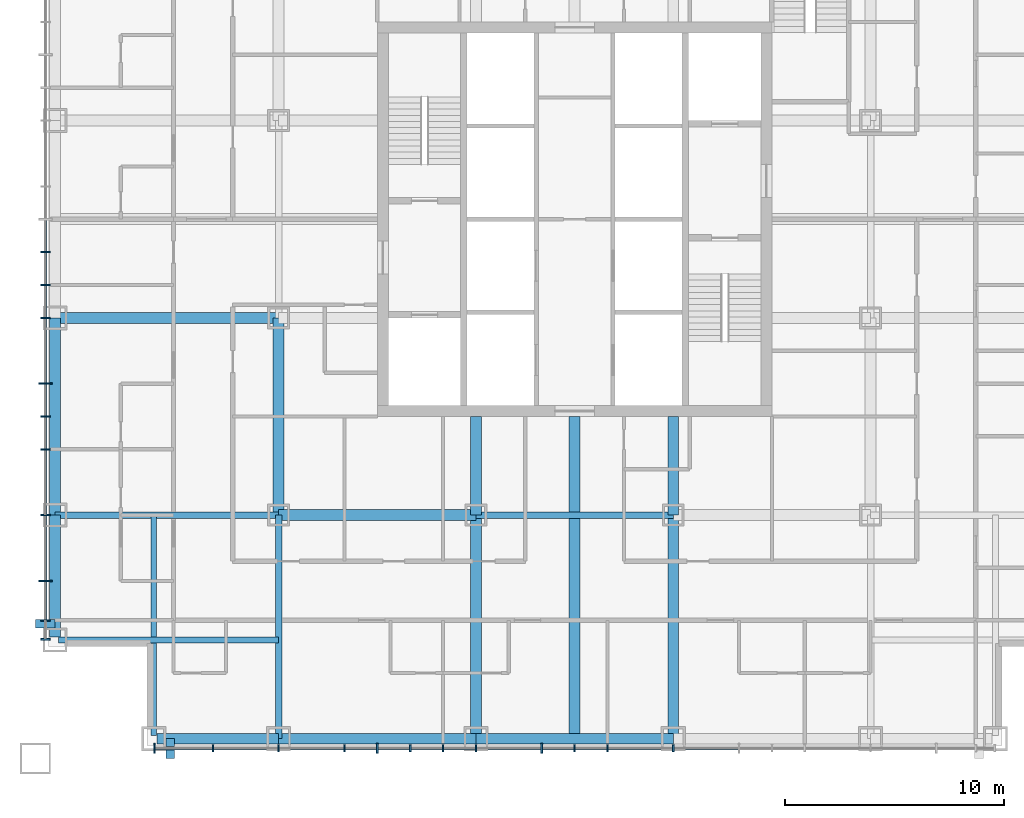
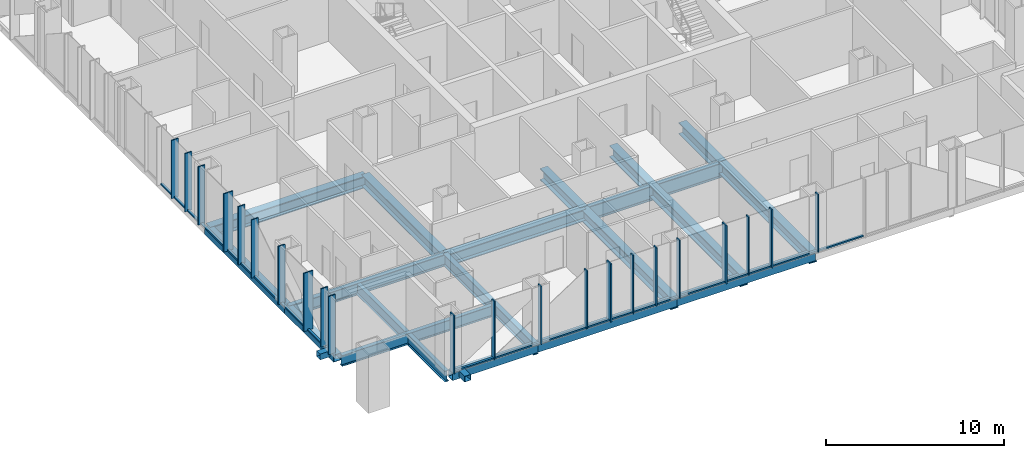
# One storey, part 2 of 16: 45 members, 18 beams, 2 elements without a shape of their own.
"""IFC4 building model written with IfcOpenShell, lengths in metres."""

from ifc_helpers import new_model, si_unit, direction, frame, origin, origin_2d, place, context, subcontext, project, spatial, rectangle, hollow_rectangle, i_section, extrude, material, layer, layer_set, material_profile, profile_set, type_object, element, aggregate, save


model = new_model("IFC4")

# Units and contexts
model_context = context("Model", 3, precision=1e-05, world=origin(), true_north=direction((0.0, 1.0)))
body_context = subcontext(model_context, "Body", "Model", "MODEL_VIEW")
ifc_project = project(units=[si_unit("LENGTHUNIT", "METRE"), si_unit("AREAUNIT", "SQUARE_METRE"), si_unit("VOLUMEUNIT", "CUBIC_METRE"), si_unit("PLANEANGLEUNIT", "RADIAN"), si_unit("MASSUNIT", "GRAM", prefix="KILO")], contexts=[model_context])

# Site, building, storey
site_placement = place(None, origin())
site = spatial("IfcSite", under=ifc_project, at=site_placement, CompositionType="ELEMENT")
building_placement = place(site_placement, origin())
building = spatial("IfcBuilding", under=site, at=building_placement, Name="Malebo Sky Hospital", CompositionType="ELEMENT")
storey_placement = place(building_placement, frame((0.0, 0.0, 144.0)))
storey = spatial("IfcBuildingStorey", under=building, at=storey_placement, Name="L34", CompositionType="ELEMENT", Elevation=144.0)

# Curtain wall, members
ifc_material_1 = material(Name="Anodised aluminium, natural silver", Category="aluminium")
ifc_layer_1 = layer(ifc_material_1, 0.25)
ifc_layer_set_1 = layer_set([ifc_layer_1], Name="WARD CURTAIN WALL EAST AND WEST")
curtain_wall_type_1 = type_object("IfcCurtainWallType", Name="WARD CURTAIN WALL EAST AND WEST", PredefinedType="NOTDEFINED", material=ifc_layer_set_1)
curtain_wall_1_placement = place(storey_placement, origin())
curtain_wall_1 = element("IfcCurtainWall", 1, at=curtain_wall_1_placement, inside=storey, type_object=curtain_wall_type_1, Name="EW curtain wall W", PredefinedType="NOTDEFINED")
ifc_material_profile_1 = material_profile(ifc_material_1, rectangle(XDim=0.14990234375, YDim=0.10009765625, at=origin_2d()), Name="ALUMINIUM TRANSOM 150x100")
ifc_profile_set_1 = profile_set([ifc_material_profile_1], Name="Anodised aluminium, natural silver")
member_type_1 = type_object("IfcMemberType", Name="ALUMINIUM TRANSOM 150x100", PredefinedType="USERDEFINED", material=ifc_profile_set_1)
member_1_placement = place(storey_placement, frame((35.864990234375, 43.737548828125, 0.050048828125), z_axis=(0.0, 1.0, 0.0), x_axis=(-1.0, 0.0, 0.0)))
member_1 = element("IfcMember", 2, at=member_1_placement, type_object=member_type_1, Name="Transom 2", ObjectType="TRANSOM", PredefinedType="USERDEFINED", context=body_context, shape_type="SweptSolid", body=[
    extrude(rectangle(XDim=0.14990234375, YDim=0.10009765625, at=origin_2d()), origin(), (0.0, 0.0, 1.0), 1.724853515625),
])
member_2_placement = place(storey_placement, frame((35.864990234375, 45.53759765625, 0.050048828125), z_axis=(0.0, 1.0, 0.0), x_axis=(-1.0, 0.0, 0.0)))
member_2 = element("IfcMember", 3, at=member_2_placement, type_object=member_type_1, Name="Transom 3", ObjectType="TRANSOM", PredefinedType="USERDEFINED", context=body_context, shape_type="SweptSolid", body=[
    extrude(rectangle(XDim=0.14990234375, YDim=0.10009765625, at=origin_2d()), origin(), (0.0, 0.0, 1.0), 2.9248046875),
])
member_3_placement = place(storey_placement, frame((35.864990234375, 48.53759765625, 0.050048828125), z_axis=(0.0, 1.0, 0.0), x_axis=(-1.0, 0.0, 0.0)))
member_3 = element("IfcMember", 4, at=member_3_placement, type_object=member_type_1, Name="Transom 4", ObjectType="TRANSOM", PredefinedType="USERDEFINED", context=body_context, shape_type="SweptSolid", body=[
    extrude(rectangle(XDim=0.14990234375, YDim=0.10009765625, at=origin_2d()), origin(), (0.0, 0.0, 1.0), 2.9248046875),
])
member_4_placement = place(storey_placement, frame((35.864990234375, 51.53759765625, 0.050048828125), z_axis=(0.0, 1.0, 0.0), x_axis=(-1.0, 0.0, 0.0)))
member_4 = element("IfcMember", 5, at=member_4_placement, type_object=member_type_1, Name="Transom 5", ObjectType="TRANSOM", PredefinedType="USERDEFINED", context=body_context, shape_type="SweptSolid", body=[
    extrude(rectangle(XDim=0.14990234375, YDim=0.10009765625, at=origin_2d()), origin(), (0.0, 0.0, 1.0), 1.4248046875),
])
member_5_placement = place(storey_placement, frame((35.864990234375, 53.03759765625, 0.050048828125), z_axis=(0.0, 1.0, 0.0), x_axis=(-1.0, 0.0, 0.0)))
member_5 = element("IfcMember", 6, at=member_5_placement, type_object=member_type_1, Name="Transom 6", ObjectType="TRANSOM", PredefinedType="USERDEFINED", context=body_context, shape_type="SweptSolid", body=[
    extrude(rectangle(XDim=0.14990234375, YDim=0.10009765625, at=origin_2d()), origin(), (0.0, 0.0, 1.0), 1.4248046875),
])
member_6_placement = place(storey_placement, frame((35.864990234375, 54.53759765625, 0.050048828125), z_axis=(0.0, 1.0, 0.0), x_axis=(-1.0, 0.0, 0.0)))
member_6 = element("IfcMember", 7, at=member_6_placement, type_object=member_type_1, Name="Transom 7", ObjectType="TRANSOM", PredefinedType="USERDEFINED", context=body_context, shape_type="SweptSolid", body=[
    extrude(rectangle(XDim=0.14990234375, YDim=0.10009765625, at=origin_2d()), origin(), (0.0, 0.0, 1.0), 2.9248046875),
])
member_7_placement = place(storey_placement, frame((35.864990234375, 57.53759765625, 0.050048828125), z_axis=(0.0, 1.0, 0.0), x_axis=(-1.0, 0.0, 0.0)))
member_7 = element("IfcMember", 8, at=member_7_placement, type_object=member_type_1, Name="Transom 8", ObjectType="TRANSOM", PredefinedType="USERDEFINED", context=body_context, shape_type="SweptSolid", body=[
    extrude(rectangle(XDim=0.14990234375, YDim=0.10009765625, at=origin_2d()), origin(), (0.0, 0.0, 1.0), 1.4248046875),
])
member_8_placement = place(storey_placement, frame((35.864990234375, 59.03759765625, 0.050048828125), z_axis=(0.0, 1.0, 0.0), x_axis=(-1.0, 0.0, 0.0)))
member_8 = element("IfcMember", 9, at=member_8_placement, type_object=member_type_1, Name="Transom 9", ObjectType="TRANSOM", PredefinedType="USERDEFINED", context=body_context, shape_type="SweptSolid", body=[
    extrude(rectangle(XDim=0.14990234375, YDim=0.10009765625, at=origin_2d()), origin(), (0.0, 0.0, 1.0), 1.4248046875),
])
member_9_placement = place(storey_placement, frame((35.864990234375, 60.53759765625, 0.050048828125), z_axis=(0.0, 1.0, 0.0), x_axis=(-1.0, 0.0, 0.0)))
member_9 = element("IfcMember", 10, at=member_9_placement, type_object=member_type_1, Name="Transom 10", ObjectType="TRANSOM", PredefinedType="USERDEFINED", context=body_context, shape_type="SweptSolid", body=[
    extrude(rectangle(XDim=0.14990234375, YDim=0.10009765625, at=origin_2d()), origin(), (0.0, 0.0, 1.0), 1.4248046875),
])

ifc_layer_2 = layer(ifc_material_1, 0.25)
ifc_layer_set_2 = layer_set([ifc_layer_2], Name="WARD CURTAIN WALL NORTH AND SOUTH")
curtain_wall_type_2 = type_object("IfcCurtainWallType", Name="WARD CURTAIN WALL NORTH AND SOUTH", PredefinedType="NOTDEFINED", material=ifc_layer_set_2)
curtain_wall_2_placement = place(storey_placement, origin())
curtain_wall_2 = element("IfcCurtainWall", 11, at=curtain_wall_2_placement, inside=storey, type_object=curtain_wall_type_2, Name="NS curtain wall S", PredefinedType="NOTDEFINED")
member_10_placement = place(storey_placement, frame((67.46240234375, 37.864990234375, 0.050048828125), z_axis=(-1.0, 0.0, 0.0), x_axis=(0.0, -1.0, 0.0)))
member_10 = element("IfcMember", 12, at=member_10_placement, type_object=member_type_1, Name="Transom 7", ObjectType="TRANSOM", PredefinedType="USERDEFINED", context=body_context, shape_type="SweptSolid", body=[
    extrude(rectangle(XDim=0.14990234375, YDim=0.10009765625, at=origin_2d()), origin(), (0.0, 0.0, 1.0), 2.9248046875),
])
member_11_placement = place(storey_placement, frame((64.46240234375, 37.864990234375, 0.050048828125), z_axis=(-1.0, 0.0, 0.0), x_axis=(0.0, -1.0, 0.0)))
member_11 = element("IfcMember", 13, at=member_11_placement, type_object=member_type_1, Name="Transom 8", ObjectType="TRANSOM", PredefinedType="USERDEFINED", context=body_context, shape_type="SweptSolid", body=[
    extrude(rectangle(XDim=0.14990234375, YDim=0.10009765625, at=origin_2d()), origin(), (0.0, 0.0, 1.0), 2.9248046875),
])
member_12_placement = place(storey_placement, frame((61.46240234375, 37.864990234375, 0.050048828125), z_axis=(-1.0, 0.0, 0.0), x_axis=(0.0, -1.0, 0.0)))
member_12 = element("IfcMember", 14, at=member_12_placement, type_object=member_type_1, Name="Transom 9", ObjectType="TRANSOM", PredefinedType="USERDEFINED", context=body_context, shape_type="SweptSolid", body=[
    extrude(rectangle(XDim=0.14990234375, YDim=0.10009765625, at=origin_2d()), origin(), (0.0, 0.0, 1.0), 1.4248046875),
])
member_13_placement = place(storey_placement, frame((59.96240234375, 37.864990234375, 0.050048828125), z_axis=(-1.0, 0.0, 0.0), x_axis=(0.0, -1.0, 0.0)))
member_13 = element("IfcMember", 15, at=member_13_placement, type_object=member_type_1, Name="Transom 10", ObjectType="TRANSOM", PredefinedType="USERDEFINED", context=body_context, shape_type="SweptSolid", body=[
    extrude(rectangle(XDim=0.14990234375, YDim=0.10009765625, at=origin_2d()), origin(), (0.0, 0.0, 1.0), 1.4248046875),
])
member_14_placement = place(storey_placement, frame((58.46240234375, 37.864990234375, 0.050048828125), z_axis=(-1.0, 0.0, 0.0), x_axis=(0.0, -1.0, 0.0)))
member_14 = element("IfcMember", 16, at=member_14_placement, type_object=member_type_1, Name="Transom 11", ObjectType="TRANSOM", PredefinedType="USERDEFINED", context=body_context, shape_type="SweptSolid", body=[
    extrude(rectangle(XDim=0.14990234375, YDim=0.10009765625, at=origin_2d()), origin(), (0.0, 0.0, 1.0), 2.9248046875),
])
member_15_placement = place(storey_placement, frame((55.46240234375, 37.864990234375, 0.050048828125), z_axis=(-1.0, 0.0, 0.0), x_axis=(0.0, -1.0, 0.0)))
member_15 = element("IfcMember", 17, at=member_15_placement, type_object=member_type_1, Name="Transom 12", ObjectType="TRANSOM", PredefinedType="USERDEFINED", context=body_context, shape_type="SweptSolid", body=[
    extrude(rectangle(XDim=0.14990234375, YDim=0.10009765625, at=origin_2d()), origin(), (0.0, 0.0, 1.0), 1.4248046875),
])
member_16_placement = place(storey_placement, frame((53.96240234375, 37.864990234375, 0.050048828125), z_axis=(-1.0, 0.0, 0.0), x_axis=(0.0, -1.0, 0.0)))
member_16 = element("IfcMember", 18, at=member_16_placement, type_object=member_type_1, Name="Transom 13", ObjectType="TRANSOM", PredefinedType="USERDEFINED", context=body_context, shape_type="SweptSolid", body=[
    extrude(rectangle(XDim=0.14990234375, YDim=0.10009765625, at=origin_2d()), origin(), (0.0, 0.0, 1.0), 1.4248046875),
])
member_17_placement = place(storey_placement, frame((52.46240234375, 37.864990234375, 0.050048828125), z_axis=(-1.0, 0.0, 0.0), x_axis=(0.0, -1.0, 0.0)))
member_17 = element("IfcMember", 19, at=member_17_placement, type_object=member_type_1, Name="Transom 14", ObjectType="TRANSOM", PredefinedType="USERDEFINED", context=body_context, shape_type="SweptSolid", body=[
    extrude(rectangle(XDim=0.14990234375, YDim=0.10009765625, at=origin_2d()), origin(), (0.0, 0.0, 1.0), 1.4248046875),
])
member_18_placement = place(storey_placement, frame((50.96240234375, 37.864990234375, 0.050048828125), z_axis=(-1.0, 0.0, 0.0), x_axis=(0.0, -1.0, 0.0)))
member_18 = element("IfcMember", 20, at=member_18_placement, type_object=member_type_1, Name="Transom 15", ObjectType="TRANSOM", PredefinedType="USERDEFINED", context=body_context, shape_type="SweptSolid", body=[
    extrude(rectangle(XDim=0.14990234375, YDim=0.10009765625, at=origin_2d()), origin(), (0.0, 0.0, 1.0), 1.4248046875),
])
member_19_placement = place(storey_placement, frame((49.46240234375, 37.864990234375, 0.050048828125), z_axis=(-1.0, 0.0, 0.0), x_axis=(0.0, -1.0, 0.0)))
member_19 = element("IfcMember", 21, at=member_19_placement, type_object=member_type_1, Name="Transom 16", ObjectType="TRANSOM", PredefinedType="USERDEFINED", context=body_context, shape_type="SweptSolid", body=[
    extrude(rectangle(XDim=0.14990234375, YDim=0.10009765625, at=origin_2d()), origin(), (0.0, 0.0, 1.0), 2.9248046875),
])
member_20_placement = place(storey_placement, frame((46.46240234375, 37.864990234375, 0.050048828125), z_axis=(-1.0, 0.0, 0.0), x_axis=(0.0, -1.0, 0.0)))
member_20 = element("IfcMember", 22, at=member_20_placement, type_object=member_type_1, Name="Transom 17", ObjectType="TRANSOM", PredefinedType="USERDEFINED", context=body_context, shape_type="SweptSolid", body=[
    extrude(rectangle(XDim=0.14990234375, YDim=0.10009765625, at=origin_2d()), origin(), (0.0, 0.0, 1.0), 2.9248046875),
])
member_21_placement = place(storey_placement, frame((43.46240234375, 37.864990234375, 0.050048828125), z_axis=(-1.0, 0.0, 0.0), x_axis=(0.0, -1.0, 0.0)))
member_21 = element("IfcMember", 23, at=member_21_placement, type_object=member_type_1, Name="Transom 18", ObjectType="TRANSOM", PredefinedType="USERDEFINED", context=body_context, shape_type="SweptSolid", body=[
    extrude(rectangle(XDim=0.14990234375, YDim=0.10009765625, at=origin_2d()), origin(), (0.0, 0.0, 1.0), 2.58740234375),
])

# Members
ifc_material_2 = material(Name="Steel S355", Category="steel")
ifc_material_profile_2 = material_profile(ifc_material_2, hollow_rectangle(XDim=0.39990234375, YDim=0.39990234375, WallThickness=0.02001953125, at=origin_2d()), Name="SHS 400x20")
ifc_profile_set_2 = profile_set([ifc_material_profile_2], Name="Steel S355")
member_type_2 = type_object("IfcMemberType", Name="BRACE STRUT SHS 400x20", PredefinedType="STRUT", material=ifc_profile_set_2)
for number, where, z_axis, x_axis, name in (
    (24, (41.550048828125, 37.39990234375, -0.39990234375), (0.0, 1.0, 0.0), (-1.0, 0.0, 0.0), "Brace strut BS1 L34"),
    (25, (35.39990234375, 43.550048828125, -0.39990234375), (1.0, 0.0, 0.0), (0.0, 1.0, 0.0), "Brace strut BW2 L34"),
):
    element("IfcMember", number, at=place(storey_placement, frame(where, z_axis=z_axis, x_axis=x_axis)), inside=storey, type_object=member_type_2, Name=name, PredefinedType="STRUT", context=body_context, shape_type="SweptSolid", body=[
        extrude(hollow_rectangle(XDim=0.39990234375, YDim=0.39990234375, WallThickness=0.02001953125, at=origin_2d()), origin(), (0.0, 0.0, 1.0), 0.900146484375),
    ])

# Member
ifc_material_profile_3 = material_profile(ifc_material_1, rectangle(XDim=0.074951171875, YDim=0.300048828125, at=origin_2d()), Name="CW1 ALUMINIUM FIN MULLION 75x300")
ifc_profile_set_3 = profile_set([ifc_material_profile_3], Name="Anodised aluminium, natural silver")
member_type_3 = type_object("IfcMemberType", Name="CW1 ALUMINIUM FIN MULLION 75x300", PredefinedType="MULLION", material=ifc_profile_set_3)
member_22_placement = place(storey_placement, frame((64.5, 37.864990234375, 0.0), z_axis=(0.0, 0.0, 1.0), x_axis=(-1.0, 0.0, 0.0)))
member_22 = element("IfcMember", 26, at=member_22_placement, type_object=member_type_3, Name="Fin mullion 8", PredefinedType="MULLION", context=body_context, shape_type="SweptSolid", body=[
    extrude(rectangle(XDim=0.074951171875, YDim=0.300048828125, at=origin_2d()), origin(), (0.0, 0.0, 1.0), 4.0),
])

member_23_placement = place(storey_placement, frame((61.5, 37.864990234375, 0.0), z_axis=(0.0, 0.0, 1.0), x_axis=(-1.0, 0.0, 0.0)))
member_23 = element("IfcMember", 27, at=member_23_placement, type_object=member_type_3, Name="Fin mullion 9", PredefinedType="MULLION", context=body_context, shape_type="SweptSolid", body=[
    extrude(rectangle(XDim=0.074951171875, YDim=0.300048828125, at=origin_2d()), origin(), (0.0, 0.0, 1.0), 4.0),
])

member_24_placement = place(storey_placement, frame((60.0, 37.864990234375, 0.0), z_axis=(0.0, 0.0, 1.0), x_axis=(-1.0, 0.0, 0.0)))
member_24 = element("IfcMember", 28, at=member_24_placement, type_object=member_type_3, Name="Fin mullion 10", PredefinedType="MULLION", context=body_context, shape_type="SweptSolid", body=[
    extrude(rectangle(XDim=0.074951171875, YDim=0.300048828125, at=origin_2d()), origin(), (0.0, 0.0, 1.0), 4.0),
])

member_25_placement = place(storey_placement, frame((55.5, 37.864990234375, 0.0), z_axis=(0.0, 0.0, 1.0), x_axis=(-1.0, 0.0, 0.0)))
member_25 = element("IfcMember", 29, at=member_25_placement, type_object=member_type_3, Name="Fin mullion 12", PredefinedType="MULLION", context=body_context, shape_type="SweptSolid", body=[
    extrude(rectangle(XDim=0.074951171875, YDim=0.300048828125, at=origin_2d()), origin(), (0.0, 0.0, 1.0), 4.0),
])

member_26_placement = place(storey_placement, frame((54.0, 37.864990234375, 0.0), z_axis=(0.0, 0.0, 1.0), x_axis=(-1.0, 0.0, 0.0)))
member_26 = element("IfcMember", 30, at=member_26_placement, type_object=member_type_3, Name="Fin mullion 13", PredefinedType="MULLION", context=body_context, shape_type="SweptSolid", body=[
    extrude(rectangle(XDim=0.074951171875, YDim=0.300048828125, at=origin_2d()), origin(), (0.0, 0.0, 1.0), 4.0),
])

member_27_placement = place(storey_placement, frame((52.5, 37.864990234375, 0.0), z_axis=(0.0, 0.0, 1.0), x_axis=(-1.0, 0.0, 0.0)))
member_27 = element("IfcMember", 31, at=member_27_placement, type_object=member_type_3, Name="Fin mullion 14", PredefinedType="MULLION", context=body_context, shape_type="SweptSolid", body=[
    extrude(rectangle(XDim=0.074951171875, YDim=0.300048828125, at=origin_2d()), origin(), (0.0, 0.0, 1.0), 4.0),
])

member_28_placement = place(storey_placement, frame((49.5, 37.864990234375, 0.0), z_axis=(0.0, 0.0, 1.0), x_axis=(-1.0, 0.0, 0.0)))
member_28 = element("IfcMember", 32, at=member_28_placement, type_object=member_type_3, Name="Fin mullion 16", PredefinedType="MULLION", context=body_context, shape_type="SweptSolid", body=[
    extrude(rectangle(XDim=0.074951171875, YDim=0.300048828125, at=origin_2d()), origin(), (0.0, 0.0, 1.0), 4.0),
])

member_29_placement = place(storey_placement, frame((46.5, 37.864990234375, 0.0), z_axis=(0.0, 0.0, 1.0), x_axis=(-1.0, 0.0, 0.0)))
member_29 = element("IfcMember", 33, at=member_29_placement, type_object=member_type_3, Name="Fin mullion 17", PredefinedType="MULLION", context=body_context, shape_type="SweptSolid", body=[
    extrude(rectangle(XDim=0.074951171875, YDim=0.300048828125, at=origin_2d()), origin(), (0.0, 0.0, 1.0), 4.0),
])

member_30_placement = place(storey_placement, frame((43.5, 37.864990234375, 0.0), z_axis=(0.0, 0.0, 1.0), x_axis=(-1.0, 0.0, 0.0)))
member_30 = element("IfcMember", 34, at=member_30_placement, type_object=member_type_3, Name="Fin mullion 18", PredefinedType="MULLION", context=body_context, shape_type="SweptSolid", body=[
    extrude(rectangle(XDim=0.074951171875, YDim=0.300048828125, at=origin_2d()), origin(), (0.0, 0.0, 1.0), 4.0),
])

ifc_material_profile_4 = material_profile(ifc_material_1, rectangle(XDim=0.074951171875, YDim=0.449951171875, at=origin_2d()), Name="CW1 ALUMINIUM FIN MULLION 75x450")
ifc_profile_set_4 = profile_set([ifc_material_profile_4], Name="Anodised aluminium, natural silver")
member_type_4 = type_object("IfcMemberType", Name="CW1 ALUMINIUM FIN MULLION 75x450", PredefinedType="MULLION", material=ifc_profile_set_4)
member_31_placement = place(storey_placement, frame((58.5, 37.864990234375, 0.0), z_axis=(0.0, 0.0, 1.0), x_axis=(-1.0, 0.0, 0.0)))
member_31 = element("IfcMember", 35, at=member_31_placement, type_object=member_type_4, Name="Fin mullion 11", PredefinedType="MULLION", context=body_context, shape_type="SweptSolid", body=[
    extrude(rectangle(XDim=0.074951171875, YDim=0.449951171875, at=origin_2d()), origin(), (0.0, 0.0, 1.0), 4.0),
])

member_32_placement = place(storey_placement, frame((51.0, 37.864990234375, 0.0), z_axis=(0.0, 0.0, 1.0), x_axis=(-1.0, 0.0, 0.0)))
member_32 = element("IfcMember", 36, at=member_32_placement, type_object=member_type_4, Name="Fin mullion 15", PredefinedType="MULLION", context=body_context, shape_type="SweptSolid", body=[
    extrude(rectangle(XDim=0.074951171875, YDim=0.449951171875, at=origin_2d()), origin(), (0.0, 0.0, 1.0), 4.0),
])

member_33_placement = place(storey_placement, frame((40.83740234375, 37.864990234375, 0.0), z_axis=(0.0, 0.0, 1.0), x_axis=(-1.0, 0.0, 0.0)))
member_33 = element("IfcMember", 37, at=member_33_placement, type_object=member_type_4, Name="Fin mullion 19", PredefinedType="MULLION", context=body_context, shape_type="SweptSolid", body=[
    extrude(rectangle(XDim=0.074951171875, YDim=0.449951171875, at=origin_2d()), origin(), (0.0, 0.0, 1.0), 4.0),
])

aggregate(curtain_wall_2, [member_22, member_23, member_24, member_31, member_25, member_26, member_27, member_32, member_28, member_29, member_30, member_33, member_10, member_11, member_12, member_13, member_14, member_15, member_16, member_17, member_18, member_19, member_20, member_21])

ifc_material_profile_5 = material_profile(ifc_material_1, rectangle(XDim=0.074951171875, YDim=0.449951171875, at=origin_2d()), Name="CW2 ALUMINIUM FIN MULLION 75x450")
ifc_profile_set_5 = profile_set([ifc_material_profile_5], Name="Anodised aluminium, natural silver")
member_type_5 = type_object("IfcMemberType", Name="CW2 ALUMINIUM FIN MULLION 75x450", PredefinedType="MULLION", material=ifc_profile_set_5)
member_34_placement = place(storey_placement, frame((35.864990234375, 42.83740234375, 0.0), z_axis=(0.0, 0.0, 1.0), x_axis=(0.0, 1.0, 0.0)))
member_34 = element("IfcMember", 38, at=member_34_placement, type_object=member_type_5, Name="Fin mullion 1", PredefinedType="MULLION", context=body_context, shape_type="SweptSolid", body=[
    extrude(rectangle(XDim=0.074951171875, YDim=0.449951171875, at=origin_2d()), origin(), (0.0, 0.0, 1.0), 4.0),
])

member_35_placement = place(storey_placement, frame((35.864990234375, 43.699951171875, 0.0), z_axis=(0.0, 0.0, 1.0), x_axis=(0.0, 1.0, 0.0)))
member_35 = element("IfcMember", 39, at=member_35_placement, type_object=member_type_5, Name="Fin mullion 2", PredefinedType="MULLION", context=body_context, shape_type="SweptSolid", body=[
    extrude(rectangle(XDim=0.074951171875, YDim=0.449951171875, at=origin_2d()), origin(), (0.0, 0.0, 1.0), 4.0),
])

member_36_placement = place(storey_placement, frame((35.864990234375, 48.5, 0.0), z_axis=(0.0, 0.0, 1.0), x_axis=(0.0, 1.0, 0.0)))
member_36 = element("IfcMember", 40, at=member_36_placement, type_object=member_type_5, Name="Fin mullion 4", PredefinedType="MULLION", context=body_context, shape_type="SweptSolid", body=[
    extrude(rectangle(XDim=0.074951171875, YDim=0.449951171875, at=origin_2d()), origin(), (0.0, 0.0, 1.0), 4.0),
])

member_37_placement = place(storey_placement, frame((35.864990234375, 51.5, 0.0), z_axis=(0.0, 0.0, 1.0), x_axis=(0.0, 1.0, 0.0)))
member_37 = element("IfcMember", 41, at=member_37_placement, type_object=member_type_5, Name="Fin mullion 5", PredefinedType="MULLION", context=body_context, shape_type="SweptSolid", body=[
    extrude(rectangle(XDim=0.074951171875, YDim=0.449951171875, at=origin_2d()), origin(), (0.0, 0.0, 1.0), 4.0),
])

member_38_placement = place(storey_placement, frame((35.864990234375, 53.0, 0.0), z_axis=(0.0, 0.0, 1.0), x_axis=(0.0, 1.0, 0.0)))
member_38 = element("IfcMember", 42, at=member_38_placement, type_object=member_type_5, Name="Fin mullion 6", PredefinedType="MULLION", context=body_context, shape_type="SweptSolid", body=[
    extrude(rectangle(XDim=0.074951171875, YDim=0.449951171875, at=origin_2d()), origin(), (0.0, 0.0, 1.0), 4.0),
])

member_39_placement = place(storey_placement, frame((35.864990234375, 57.5, 0.0), z_axis=(0.0, 0.0, 1.0), x_axis=(0.0, 1.0, 0.0)))
member_39 = element("IfcMember", 43, at=member_39_placement, type_object=member_type_5, Name="Fin mullion 8", PredefinedType="MULLION", context=body_context, shape_type="SweptSolid", body=[
    extrude(rectangle(XDim=0.074951171875, YDim=0.449951171875, at=origin_2d()), origin(), (0.0, 0.0, 1.0), 4.0),
])

member_40_placement = place(storey_placement, frame((35.864990234375, 59.0, 0.0), z_axis=(0.0, 0.0, 1.0), x_axis=(0.0, 1.0, 0.0)))
member_40 = element("IfcMember", 44, at=member_40_placement, type_object=member_type_5, Name="Fin mullion 9", PredefinedType="MULLION", context=body_context, shape_type="SweptSolid", body=[
    extrude(rectangle(XDim=0.074951171875, YDim=0.449951171875, at=origin_2d()), origin(), (0.0, 0.0, 1.0), 4.0),
])

member_41_placement = place(storey_placement, frame((35.864990234375, 60.5, 0.0), z_axis=(0.0, 0.0, 1.0), x_axis=(0.0, 1.0, 0.0)))
member_41 = element("IfcMember", 45, at=member_41_placement, type_object=member_type_5, Name="Fin mullion 10", PredefinedType="MULLION", context=body_context, shape_type="SweptSolid", body=[
    extrude(rectangle(XDim=0.074951171875, YDim=0.449951171875, at=origin_2d()), origin(), (0.0, 0.0, 1.0), 4.0),
])

ifc_material_profile_6 = material_profile(ifc_material_1, rectangle(XDim=0.074951171875, YDim=0.60009765625, at=origin_2d()), Name="CW2 ALUMINIUM FIN MULLION 75x600")
ifc_profile_set_6 = profile_set([ifc_material_profile_6], Name="Anodised aluminium, natural silver")
member_type_6 = type_object("IfcMemberType", Name="CW2 ALUMINIUM FIN MULLION 75x600", PredefinedType="MULLION", material=ifc_profile_set_6)
member_42_placement = place(storey_placement, frame((35.864990234375, 45.5, 0.0), z_axis=(0.0, 0.0, 1.0), x_axis=(0.0, 1.0, 0.0)))
member_42 = element("IfcMember", 46, at=member_42_placement, type_object=member_type_6, Name="Fin mullion 3", PredefinedType="MULLION", context=body_context, shape_type="SweptSolid", body=[
    extrude(rectangle(XDim=0.074951171875, YDim=0.60009765625, at=origin_2d()), origin(), (0.0, 0.0, 1.0), 4.0),
])

member_43_placement = place(storey_placement, frame((35.864990234375, 54.5, 0.0), z_axis=(0.0, 0.0, 1.0), x_axis=(0.0, 1.0, 0.0)))
member_43 = element("IfcMember", 47, at=member_43_placement, type_object=member_type_6, Name="Fin mullion 7", PredefinedType="MULLION", context=body_context, shape_type="SweptSolid", body=[
    extrude(rectangle(XDim=0.074951171875, YDim=0.60009765625, at=origin_2d()), origin(), (0.0, 0.0, 1.0), 4.0),
])

aggregate(curtain_wall_1, [member_34, member_35, member_42, member_36, member_37, member_38, member_43, member_39, member_40, member_41, member_1, member_2, member_3, member_4, member_5, member_6, member_7, member_8, member_9])

# Beams
ifc_material_3 = material(Name="Steel S460", Category="steel")
ifc_material_profile_7 = material_profile(ifc_material_3, hollow_rectangle(XDim=0.5, YDim=0.5, WallThickness=0.030029296875, at=origin_2d()), Name="BOX 500x500x30")
ifc_profile_set_7 = profile_set([ifc_material_profile_7], Name="Steel S460")
beam_type_1 = type_object("IfcBeamType", Name="EDGE BEAM BOX 500x500x30", PredefinedType="BEAM", material=ifc_profile_set_7)
beam_1_placement = place(storey_placement, frame((36.300048828125, 42.949951171875, -0.5), z_axis=(0.0, 1.0, 0.0), x_axis=(-1.0, 0.0, 0.0)))
element("IfcBeam", 48, at=beam_1_placement, inside=storey, type_object=beam_type_1, Name="Beam 000 L34", PredefinedType="BEAM", context=body_context, shape_type="SweptSolid", body=[
    extrude(hollow_rectangle(XDim=0.5, YDim=0.5, WallThickness=0.030029296875, at=origin_2d()), origin(), (0.0, 0.0, 1.0), 5.550048828125),
])
beam_2_placement = place(storey_placement, frame((36.300048828125, 48.5, -0.5), z_axis=(0.0, 1.0, 0.0), x_axis=(-1.0, 0.0, 0.0)))
element("IfcBeam", 49, at=beam_2_placement, inside=storey, type_object=beam_type_1, Name="Beam 001 L34", PredefinedType="BEAM", context=body_context, shape_type="SweptSolid", body=[
    extrude(hollow_rectangle(XDim=0.5, YDim=0.5, WallThickness=0.030029296875, at=origin_2d()), origin(), (0.0, 0.0, 1.0), 9.0),
])
beam_3_placement = place(storey_placement, frame((40.949951171875, 38.300048828125, -0.5), z_axis=(1.0, 0.0, 0.0), x_axis=(0.0, 1.0, 0.0)))
element("IfcBeam", 50, at=beam_3_placement, inside=storey, type_object=beam_type_1, Name="Beam 034 L34", PredefinedType="BEAM", context=body_context, shape_type="SweptSolid", body=[
    extrude(hollow_rectangle(XDim=0.5, YDim=0.5, WallThickness=0.030029296875, at=origin_2d()), origin(), (0.0, 0.0, 1.0), 5.550048828125),
])
for number, where, z_axis, x_axis, name in (
    (51, (46.5, 38.300048828125, -0.5), (1.0, 0.0, 0.0), (0.0, 1.0, 0.0), "Beam 035 L34"),
    (52, (55.5, 38.300048828125, -0.5), (1.0, 0.0, 0.0), (0.0, 1.0, 0.0), "Beam 036 L34"),
):
    element("IfcBeam", number, at=place(storey_placement, frame(where, z_axis=z_axis, x_axis=x_axis)), inside=storey, type_object=beam_type_1, Name=name, PredefinedType="BEAM", context=body_context, shape_type="SweptSolid", body=[
        extrude(hollow_rectangle(XDim=0.5, YDim=0.5, WallThickness=0.030029296875, at=origin_2d()), origin(), (0.0, 0.0, 1.0), 9.0),
    ])
ifc_material_profile_8 = material_profile(ifc_material_2, i_section(OverallWidth=0.262939453125, OverallDepth=0.7529296875, WebThickness=0.011474609375, FlangeThickness=0.01708984375, FilletRadius=0.01708984375, at=origin_2d()), Name="IPE 750x137")
ifc_profile_set_8 = profile_set([ifc_material_profile_8], Name="Steel S355")
beam_type_2 = type_object("IfcBeamType", Name="FLOOR BEAM IPE 750x137", PredefinedType="BEAM", material=ifc_profile_set_8)
for number, where, z_axis, x_axis, name in (
    (53, (40.800048828125, 38.449951171875, -0.62646484375), (0.0, 1.0, 0.0), (-1.0, 0.0, 0.0), "Beam 005 L34"),
    (54, (36.449951171875, 42.800048828125, -0.62646484375), (1.0, 0.0, 0.0), (0.0, 1.0, 0.0), "Beam 039 L34"),
):
    element("IfcBeam", number, at=place(storey_placement, frame(where, z_axis=z_axis, x_axis=x_axis)), inside=storey, type_object=beam_type_2, Name=name, PredefinedType="BEAM", context=body_context, shape_type="SweptSolid", body=[
        extrude(i_section(OverallWidth=0.262939453125, OverallDepth=0.7529296875, WebThickness=0.011474609375, FlangeThickness=0.01708984375, FilletRadius=0.01708984375, at=origin_2d()), origin(), (0.0, 0.0, 1.0), 10.050048828125),
    ])
ifc_material_profile_9 = material_profile(ifc_material_2, i_section(OverallWidth=0.5, OverallDepth=0.800048828125, WebThickness=0.030029296875, FlangeThickness=0.050048828125, at=origin_2d()), Name="PG 800x500x30x50")
ifc_profile_set_9 = profile_set([ifc_material_profile_9], Name="Steel S355")
beam_type_3 = type_object("IfcBeamType", Name="FLOOR BEAM PG 800x500x30x50", PredefinedType="BEAM", material=ifc_profile_set_9)
beam_4_placement = place(storey_placement, frame((46.5, 48.5, -0.64990234375), z_axis=(0.0, 1.0, 0.0), x_axis=(-1.0, 0.0, 0.0)))
element("IfcBeam", 55, at=beam_4_placement, inside=storey, type_object=beam_type_3, Name="Beam 008 L34", PredefinedType="BEAM", context=body_context, shape_type="SweptSolid", body=[
    extrude(i_section(OverallWidth=0.5, OverallDepth=0.800048828125, WebThickness=0.030029296875, FlangeThickness=0.050048828125, at=origin_2d()), origin(), (0.0, 0.0, 1.0), 9.0),
])
beam_5_placement = place(storey_placement, frame((55.5, 38.300048828125, -0.64990234375), z_axis=(0.0, 1.0, 0.0), x_axis=(-1.0, 0.0, 0.0)))
element("IfcBeam", 56, at=beam_5_placement, inside=storey, type_object=beam_type_3, Name="Beam 012 L34", PredefinedType="BEAM", context=body_context, shape_type="SweptSolid", body=[
    extrude(i_section(OverallWidth=0.5, OverallDepth=0.800048828125, WebThickness=0.030029296875, FlangeThickness=0.050048828125, at=origin_2d()), origin(), (0.0, 0.0, 1.0), 10.199951171875),
])
beam_6_placement = place(storey_placement, frame((55.5, 48.5, -0.64990234375), z_axis=(0.0, 1.0, 0.0), x_axis=(-1.0, 0.0, 0.0)))
element("IfcBeam", 57, at=beam_6_placement, inside=storey, type_object=beam_type_3, Name="Beam 013 L34", PredefinedType="BEAM", context=body_context, shape_type="SweptSolid", body=[
    extrude(i_section(OverallWidth=0.5, OverallDepth=0.800048828125, WebThickness=0.030029296875, FlangeThickness=0.050048828125, at=origin_2d()), origin(), (0.0, 0.0, 1.0), 4.5),
])
beam_7_placement = place(storey_placement, frame((60.0, 38.300048828125, -0.64990234375), z_axis=(0.0, 1.0, 0.0), x_axis=(-1.0, 0.0, 0.0)))
element("IfcBeam", 58, at=beam_7_placement, inside=storey, type_object=beam_type_3, Name="Beam 016 L34", PredefinedType="BEAM", context=body_context, shape_type="SweptSolid", body=[
    extrude(i_section(OverallWidth=0.5, OverallDepth=0.800048828125, WebThickness=0.030029296875, FlangeThickness=0.050048828125, at=origin_2d()), origin(), (0.0, 0.0, 1.0), 14.699951171875),
])
beam_8_placement = place(storey_placement, frame((64.5, 38.300048828125, -0.64990234375), z_axis=(0.0, 1.0, 0.0), x_axis=(-1.0, 0.0, 0.0)))
element("IfcBeam", 59, at=beam_8_placement, inside=storey, type_object=beam_type_3, Name="Beam 018 L34", PredefinedType="BEAM", context=body_context, shape_type="SweptSolid", body=[
    extrude(i_section(OverallWidth=0.5, OverallDepth=0.800048828125, WebThickness=0.030029296875, FlangeThickness=0.050048828125, at=origin_2d()), origin(), (0.0, 0.0, 1.0), 10.199951171875),
])
beam_9_placement = place(storey_placement, frame((64.5, 48.5, -0.64990234375), z_axis=(0.0, 1.0, 0.0), x_axis=(-1.0, 0.0, 0.0)))
element("IfcBeam", 60, at=beam_9_placement, inside=storey, type_object=beam_type_3, Name="Beam 019 L34", PredefinedType="BEAM", context=body_context, shape_type="SweptSolid", body=[
    extrude(i_section(OverallWidth=0.5, OverallDepth=0.800048828125, WebThickness=0.030029296875, FlangeThickness=0.050048828125, at=origin_2d()), origin(), (0.0, 0.0, 1.0), 4.5),
])
beam_10_placement = place(storey_placement, frame((46.5, 48.5, -0.64990234375), z_axis=(1.0, 0.0, 0.0), x_axis=(0.0, 1.0, 0.0)))
element("IfcBeam", 61, at=beam_10_placement, inside=storey, type_object=beam_type_3, Name="Beam 042 L34", PredefinedType="BEAM", context=body_context, shape_type="SweptSolid", body=[
    extrude(i_section(OverallWidth=0.5, OverallDepth=0.800048828125, WebThickness=0.030029296875, FlangeThickness=0.050048828125, at=origin_2d()), origin(), (0.0, 0.0, 1.0), 9.0),
])
beam_11_placement = place(storey_placement, frame((36.300048828125, 57.5, -0.64990234375), z_axis=(1.0, 0.0, 0.0), x_axis=(0.0, 1.0, 0.0)))
element("IfcBeam", 62, at=beam_11_placement, inside=storey, type_object=beam_type_3, Name="Beam 046 L34", PredefinedType="BEAM", context=body_context, shape_type="SweptSolid", body=[
    extrude(i_section(OverallWidth=0.5, OverallDepth=0.800048828125, WebThickness=0.030029296875, FlangeThickness=0.050048828125, at=origin_2d()), origin(), (0.0, 0.0, 1.0), 10.199951171875),
])
ifc_material_profile_10 = material_profile(ifc_material_2, i_section(OverallWidth=0.300048828125, OverallDepth=0.800048828125, WebThickness=0.017578125, FlangeThickness=0.032958984375, FilletRadius=0.030029296875, at=origin_2d()), Name="HEB 800")
ifc_profile_set_10 = profile_set([ifc_material_profile_10], Name="Steel S355")
beam_type_4 = type_object("IfcBeamType", Name="FLOOR GIRDER HEB 800", PredefinedType="BEAM", material=ifc_profile_set_10)
for number, where, z_axis, x_axis, name in (
    (63, (46.5, 38.300048828125, -0.64990234375), (0.0, 1.0, 0.0), (-1.0, 0.0, 0.0), "Beam 007 L34"),
    (64, (36.300048828125, 48.5, -0.64990234375), (1.0, 0.0, 0.0), (0.0, 1.0, 0.0), "Beam 041 L34"),
):
    element("IfcBeam", number, at=place(storey_placement, frame(where, z_axis=z_axis, x_axis=x_axis)), inside=storey, type_object=beam_type_4, Name=name, PredefinedType="BEAM", context=body_context, shape_type="SweptSolid", body=[
        extrude(i_section(OverallWidth=0.300048828125, OverallDepth=0.800048828125, WebThickness=0.017578125, FlangeThickness=0.032958984375, FilletRadius=0.030029296875, at=origin_2d()), origin(), (0.0, 0.0, 1.0), 10.199951171875),
    ])
ifc_material_profile_11 = material_profile(ifc_material_2, i_section(OverallWidth=0.300048828125, OverallDepth=1.0, WebThickness=0.01904296875, FlangeThickness=0.035888671875, FilletRadius=0.030029296875, at=origin_2d()), Name="HEB 1000")
ifc_profile_set_11 = profile_set([ifc_material_profile_11], Name="Steel S355")
beam_type_5 = type_object("IfcBeamType", Name="RING GIRDER HEB 1000", PredefinedType="BEAM", material=ifc_profile_set_11)
beam_12_placement = place(storey_placement, frame((55.5, 48.5, -0.75), z_axis=(1.0, 0.0, 0.0), x_axis=(0.0, 1.0, 0.0)))
element("IfcBeam", 65, at=beam_12_placement, inside=storey, type_object=beam_type_5, Name="Beam 043 L34", PredefinedType="BEAM", context=body_context, shape_type="SweptSolid", body=[
    extrude(i_section(OverallWidth=0.300048828125, OverallDepth=1.0, WebThickness=0.01904296875, FlangeThickness=0.035888671875, FilletRadius=0.030029296875, at=origin_2d()), origin(), (0.0, 0.0, 1.0), 9.0),
])

save(model, "model.ifc")
